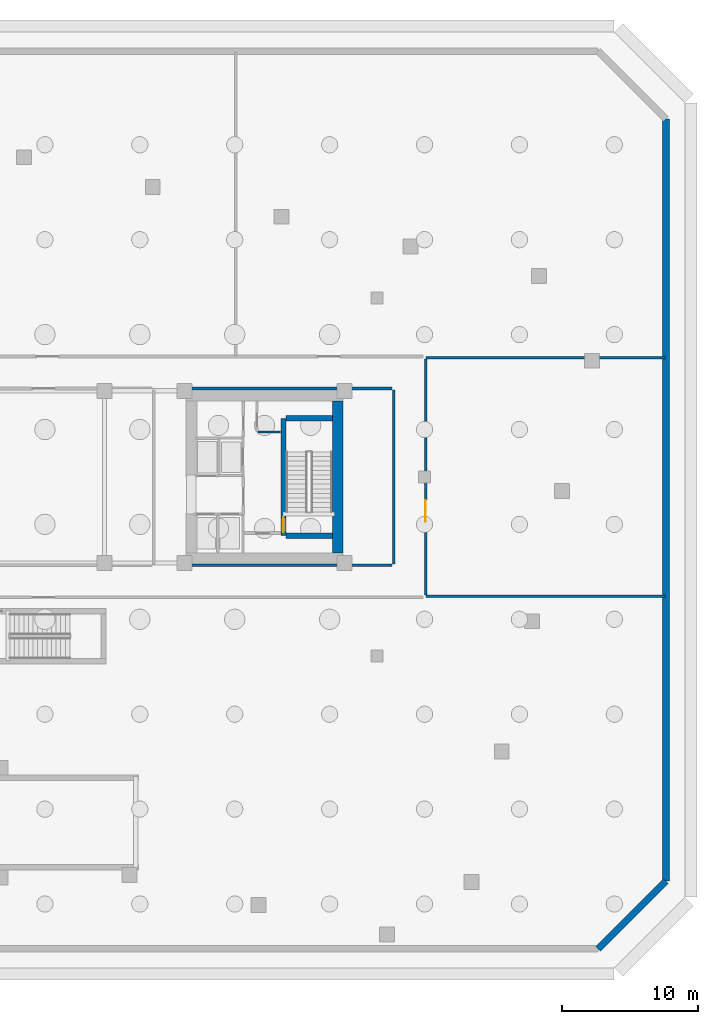
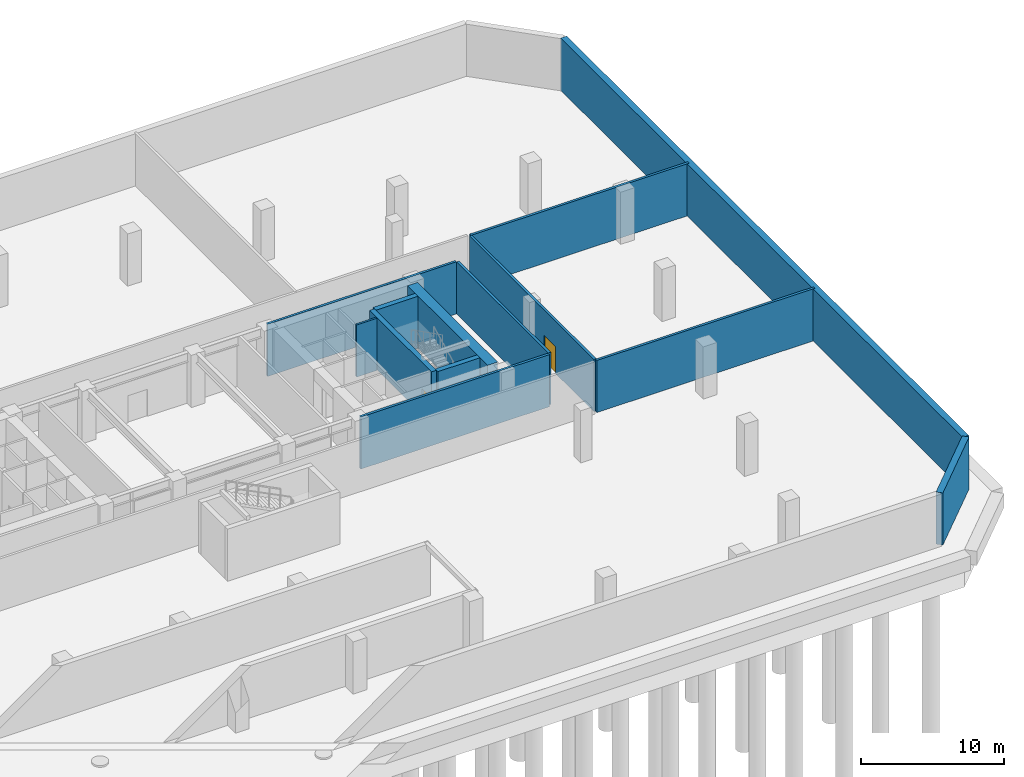
# One storey, part 6 of 10: 13 walls, 2 doors, 2 openings.
"""IFC4 building model written with IfcOpenShell, lengths in metres."""

from ifc_helpers import new_model, si_unit, direction, frame, frame_2d, origin, place, context, subcontext, project, spatial, rectangle, extrude, material, layer, layer_set, type_object, element, fill, save


model = new_model("IFC4")

# Units and contexts
model_context = context("Model", 3, precision=1e-05, world=origin(), true_north=direction((0.0, 1.0)))
body_context = subcontext(model_context, "Body", "Model", "MODEL_VIEW")
ifc_project = project(units=[si_unit("LENGTHUNIT", "METRE"), si_unit("AREAUNIT", "SQUARE_METRE"), si_unit("VOLUMEUNIT", "CUBIC_METRE"), si_unit("PLANEANGLEUNIT", "RADIAN"), si_unit("MASSUNIT", "GRAM", prefix="KILO")], contexts=[model_context])

# Site, building, storey
site_placement = place(None, origin())
site = spatial("IfcSite", under=ifc_project, at=site_placement, CompositionType="ELEMENT")
building_placement = place(site_placement, origin())
building = spatial("IfcBuilding", under=site, at=building_placement, Name="Tavrogorsk Clinical Tower", CompositionType="ELEMENT")
storey_placement = place(building_placement, frame((0.0, 0.0, -10.199951171875)))
storey = spatial("IfcBuildingStorey", under=building, at=storey_placement, Name="B2", CompositionType="ELEMENT", Elevation=-10.199951171875)

# Wall, opening, door
ifc_material_1 = material(Name="Concrete B60", Category="concrete")
ifc_layer_1 = layer(ifc_material_1, 0.199951171875)
ifc_layer_set_1 = layer_set([ifc_layer_1], Name="Concrete B60")
wall_type_1 = type_object("IfcWallType", Name="CoreFireWall_200", PredefinedType="SOLIDWALL", material=ifc_layer_set_1)
wall_1_placement = place(storey_placement, frame((28.080078125, 8.695068359375, 0.0), z_axis=(0.0, 0.0, 1.0), x_axis=(0.0, -1.0, 0.0)))
wall_1 = element("IfcWall", 1, at=wall_1_placement, inside=storey, type_object=wall_type_1, Name="B2 Corridor Fire Wall 03", PredefinedType="SOLIDWALL", context=body_context, shape_type="SweptSolid", body=[
    extrude(rectangle(XDim=17.39013671875, YDim=0.199951171875, at=frame_2d((8.695068359375, 0.0))), origin(), (0.0, 0.0, 1.0), 4.449951171875),
])
opening_1_placement = place(wall_1_placement, frame((10.39990234375, 0.0, 0.0)))
opening_1 = element("IfcOpeningElement", 2, at=opening_1_placement, cuts=wall_1, Name="Opening FD-04", PredefinedType="OPENING", context=body_context, shape_type="SweptSolid", body=[
    extrude(rectangle(XDim=1.60009765625, YDim=2.300048828125, at=frame_2d((0.800048828125, 1.14990234375))), frame((0.0, 0.10986328125, 0.0), z_axis=(0.0, -1.0, 0.0), x_axis=(1.0, 0.0, 0.0)), (0.0, 0.0, 1.0), 0.219970703125),
])
ifc_material_2 = material(Name="Galvanised steel acoustic plant double door", Category="steel")
door_type_1 = type_object("IfcDoorType", Name="PlantDoubleDoor_FD04_1600", OperationType="DOUBLE_SWING_LEFT", PredefinedType="DOOR", material=ifc_material_2)
door_1_placement = place(opening_1_placement, origin())
door_1 = element("IfcDoor", 3, at=door_1_placement, inside=storey, type_object=door_type_1, Name="B2 Fire Pump & Sprinkler Tank Room Fire Door", OperationType="DOUBLE_SWING_LEFT", OverallHeight=2.300048828125, OverallWidth=1.60009765625, PredefinedType="DOOR", context=body_context, shape_type="SweptSolid", body=[
    extrude(rectangle(XDim=1.60009765625, YDim=2.300048828125, at=frame_2d((0.800048828125, 1.14990234375))), frame((0.0, 0.02490234375, 0.0), z_axis=(0.0, -1.0, 0.0), x_axis=(1.0, 0.0, 0.0)), (0.0, 0.0, 1.0), 0.050048828125),
])
fill(opening_1, door_1)

# Walls
for number, where, z_axis, x_axis, name in (
    (4, (25.614990234375, 6.52001953125, 0.0), (0.0, 0.0, 1.0), (-1.0, 0.0, 0.0), "B2 Corridor Fire Wall 05"),
    (5, (10.3798828125, -6.52001953125, 0.0), (0.0, 0.0, 1.0), (1.0, 0.0, 0.0), "B2 Corridor Fire Wall 06"),
):
    element("IfcWall", number, at=place(storey_placement, frame(where, z_axis=z_axis, x_axis=x_axis)), inside=storey, type_object=wall_type_1, Name=name, PredefinedType="SOLIDWALL", context=body_context, shape_type="SweptSolid", body=[
        extrude(rectangle(XDim=15.235107421875, YDim=0.199951171875, at=frame_2d((7.61767578125, 0.0))), origin(), (0.0, 0.0, 1.0), 4.449951171875),
    ])
wall_2_placement = place(storey_placement, frame((25.719970703125, -6.4150390625, 0.0), z_axis=(0.0, 0.0, 1.0), x_axis=(0.0, 1.0, 0.0)))
element("IfcWall", 6, at=wall_2_placement, inside=storey, type_object=wall_type_1, Name="B2 Corridor Fire Wall 07", PredefinedType="SOLIDWALL", context=body_context, shape_type="SweptSolid", body=[
    extrude(rectangle(XDim=12.830078125, YDim=0.199951171875, at=frame_2d((6.4150390625, 0.0))), origin(), (0.0, 0.0, 1.0), 4.449951171875),
])
for number, where, z_axis, x_axis, name in (
    (7, (28.10498046875, -8.800048828125, 0.0), (0.0, 0.0, 1.0), (1.0, 0.0, 0.0), "B2 Compartment Fire Wall 2"),
    (8, (28.10498046875, 8.800048828125, 0.0), (0.0, 0.0, 1.0), (1.0, 0.0, 0.0), "B2 Compartment Fire Wall 4"),
):
    element("IfcWall", number, at=place(storey_placement, frame(where, z_axis=z_axis, x_axis=x_axis)), inside=storey, type_object=wall_type_1, Name=name, PredefinedType="SOLIDWALL", context=body_context, shape_type="SweptSolid", body=[
        extrude(rectangle(XDim=17.614990234375, YDim=0.199951171875, at=frame_2d((8.8076171875, 0.0))), origin(), (0.0, 0.0, 1.0), 4.449951171875),
    ])
ifc_material_3 = material(Name="Lightweight concrete blockwork B25", Category="masonry")
ifc_layer_2 = layer(ifc_material_3, 0.159912109375)
ifc_layer_set_2 = layer_set([ifc_layer_2], Name="Lightweight concrete blockwork B25")
wall_type_2 = type_object("IfcWallType", Name="ShaftWall_160", PredefinedType="PARTITIONING", material=ifc_layer_set_2)
wall_3_placement = place(storey_placement, frame((15.72509765625, 3.320068359375, 0.0), z_axis=(0.0, 0.0, 1.0), x_axis=(1.0, 0.0, 0.0)))
element("IfcWall", 9, at=wall_3_placement, inside=storey, type_object=wall_type_2, Name="B2 Core East Riser South Wall", PredefinedType="PARTITIONING", context=body_context, shape_type="SweptSolid", body=[
    extrude(rectangle(XDim=1.65478515625, YDim=0.159912109375, at=frame_2d((0.827392578125, 0.0))), origin(), (0.0, 0.0, 1.0), 4.449951171875),
])

# Wall, opening, door
ifc_material_4 = material(Name="Concrete B80", Category="concrete")
ifc_layer_3 = layer(ifc_material_4, 0.39990234375)
ifc_layer_set_3 = layer_set([ifc_layer_3], Name="Concrete B80")
wall_type_3 = type_object("IfcWallType", Name="ShearWall_400", PredefinedType="SHEAR", material=ifc_layer_set_3)
wall_4_placement = place(storey_placement, frame((17.60009765625, -4.324951171875, 0.0), z_axis=(0.0, 0.0, 1.0), x_axis=(0.0, 1.0, 0.0)))
wall_4 = element("IfcWall", 10, at=wall_4_placement, inside=storey, type_object=wall_type_3, Name="B2 Core East Stair Shaft Inner Shear Wall", PredefinedType="SHEAR", context=body_context, shape_type="SweptSolid", body=[
    extrude(rectangle(XDim=8.64990234375, YDim=0.39990234375, at=frame_2d((4.324951171875, 0.0))), origin(), (0.0, 0.0, 1.0), 4.449951171875),
])
opening_2_placement = place(wall_4_placement, frame((0.25, 0.0, 0.0)))
opening_2 = element("IfcOpeningElement", 11, at=opening_2_placement, cuts=wall_4, Name="Opening SD-01", PredefinedType="OPENING", context=body_context, shape_type="SweptSolid", body=[
    extrude(rectangle(XDim=1.10009765625, YDim=2.199951171875, at=frame_2d((0.550048828125, 1.10009765625))), frame((0.0, 0.2099609375, 0.0), z_axis=(0.0, -1.0, 0.0), x_axis=(1.0, 0.0, 0.0)), (0.0, 0.0, 1.0), 0.419921875),
])
ifc_material_5 = material(Name="Galvanised steel smoke-tight fire door assembly", Category="steel")
door_type_2 = type_object("IfcDoorType", Name="StairFireDoor_SD01_1100", OperationType="NOTDEFINED", PredefinedType="DOOR", material=ifc_material_5)
door_2_placement = place(opening_2_placement, origin())
door_2 = element("IfcDoor", 12, at=door_2_placement, inside=storey, type_object=door_type_2, Name="B2 ST-E Exit Stair Door", OperationType="SINGLE_SWING_RIGHT", OverallHeight=2.199951171875, OverallWidth=1.10009765625, PredefinedType="DOOR", context=body_context, shape_type="SweptSolid", body=[
    extrude(rectangle(XDim=1.10009765625, YDim=2.199951171875, at=frame_2d((0.550048828125, 1.10009765625))), frame((0.0, 0.02490234375, 0.0), z_axis=(0.0, -1.0, 0.0), x_axis=(1.0, 0.0, 0.0)), (0.0, 0.0, 1.0), 0.050048828125),
])
fill(opening_2, door_2)

# Walls
for number, where, z_axis, x_axis, name in (
    (13, (17.800048828125, -4.324951171875, 0.0), (0.0, 0.0, 1.0), (1.0, 0.0, 0.0), "B2 Core East Stair Shaft South Shear Wall"),
    (14, (17.800048828125, 4.324951171875, 0.0), (0.0, 0.0, 1.0), (1.0, 0.0, 0.0), "B2 Core East Stair Shaft North Shear Wall"),
):
    element("IfcWall", number, at=place(storey_placement, frame(where, z_axis=z_axis, x_axis=x_axis)), inside=storey, type_object=wall_type_3, Name=name, PredefinedType="SHEAR", context=body_context, shape_type="SweptSolid", body=[
        extrude(rectangle(XDim=3.39990234375, YDim=0.39990234375, at=frame_2d((1.699951171875, 0.0))), origin(), (0.0, 0.0, 1.0), 4.449951171875),
    ])
ifc_material_6 = material(Name="Concrete B60", Category="concrete")
ifc_layer_4 = layer(ifc_material_6, 0.5)
ifc_layer_set_4 = layer_set([ifc_layer_4], Name="Concrete B60")
wall_type_4 = type_object("IfcWallType", Name="ShearWall_500", PredefinedType="SHEAR", material=ifc_layer_set_4)
wall_5_placement = place(storey_placement, frame((40.800048828125, -34.800048828125, 0.0), z_axis=(0.0, 0.0, 1.0), x_axis=(0.707106781187, 0.707106781187, 0.0)))
element("IfcWall", 15, at=wall_5_placement, inside=storey, type_object=wall_type_4, Name="B2 Retaining Wall 2", PredefinedType="SHEAR", context=body_context, shape_type="SweptSolid", body=[
    extrude(rectangle(XDim=7.071044921875, YDim=0.5, at=frame_2d((3.53564453125, 0.0))), origin(), (0.0, 0.0, 1.0), 4.449951171875),
])
wall_6_placement = place(storey_placement, frame((45.800048828125, -29.800048828125, 0.0), z_axis=(0.0, 0.0, 1.0), x_axis=(0.0, 1.0, 0.0)))
element("IfcWall", 16, at=wall_6_placement, inside=storey, type_object=wall_type_4, Name="B2 Retaining Wall 3", PredefinedType="SHEAR", context=body_context, shape_type="SweptSolid", body=[
    extrude(rectangle(XDim=56.199951171875, YDim=0.5, at=frame_2d((28.10009765625, 0.0))), origin(), (0.0, 0.0, 1.0), 4.449951171875),
])
ifc_material_7 = material(Name="Concrete B80", Category="concrete")
ifc_layer_5 = layer(ifc_material_7, 0.800048828125)
ifc_layer_set_5 = layer_set([ifc_layer_5], Name="Concrete B80")
wall_type_5 = type_object("IfcWallType", Name="ShearWall_800", PredefinedType="SHEAR", material=ifc_layer_set_5)
wall_7_placement = place(storey_placement, frame((21.60009765625, -5.60009765625, 0.0), z_axis=(0.0, 0.0, 1.0), x_axis=(0.0, 1.0, 0.0)))
element("IfcWall", 17, at=wall_7_placement, inside=storey, type_object=wall_type_5, Name="B2 Core East End Shear Wall", PredefinedType="SHEAR", context=body_context, shape_type="SweptSolid", body=[
    extrude(rectangle(XDim=11.2001953125, YDim=0.800048828125, at=frame_2d((5.60009765625, 0.0))), origin(), (0.0, 0.0, 1.0), 4.449951171875),
])

save(model, "model.ifc")
